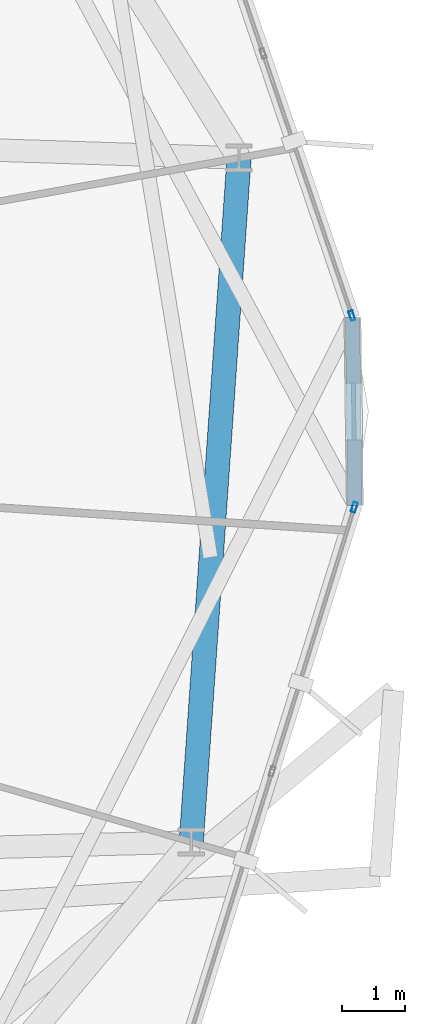
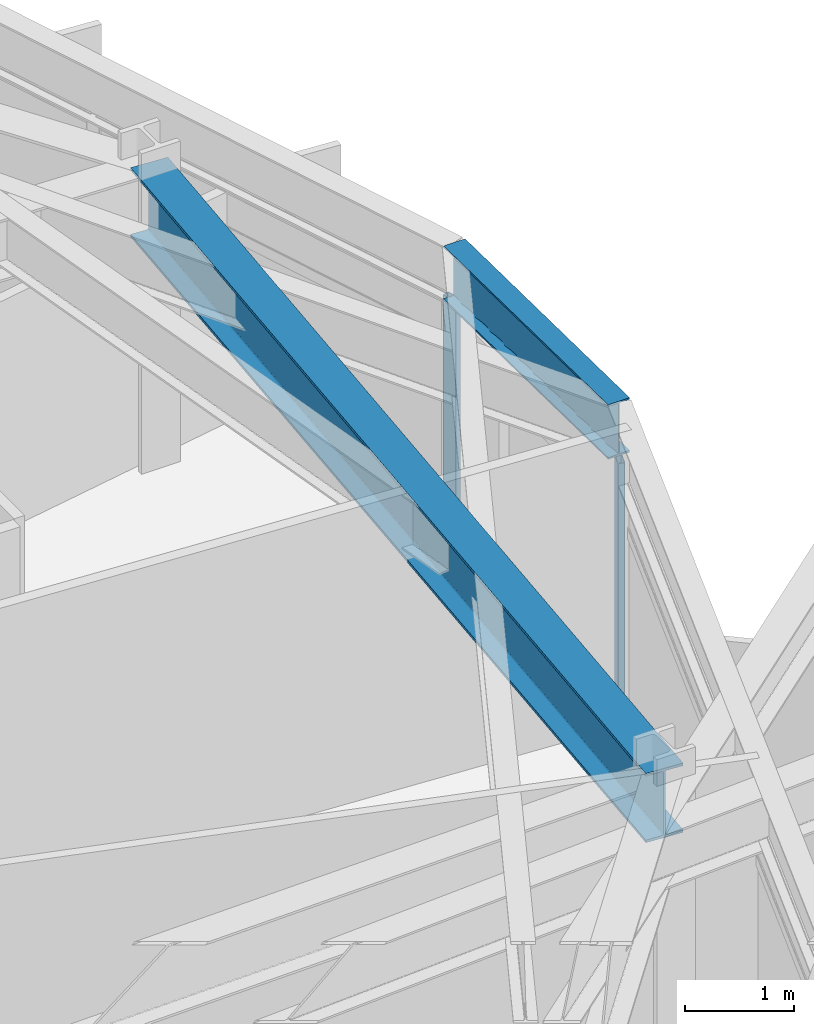
# One storey, part 12 of 27: 2 beams, 2 members, 2 elements without a shape of their own.
"""IFC4 building model written with IfcOpenShell, lengths in metres."""

from ifc_helpers import new_model, si_unit, direction, frame, origin, origin_2d, place, context, subcontext, project, spatial, hollow_rectangle, i_section, extrude, material, layer, layer_set, material_profile, profile_set, type_object, element, aggregate, save


model = new_model("IFC4")

# Units and contexts
model_context = context("Model", 3, precision=1e-05, world=origin(), true_north=direction((0.0, 1.0)))
body_context = subcontext(model_context, "Body", "Model", "MODEL_VIEW")
ifc_project = project(units=[si_unit("LENGTHUNIT", "METRE"), si_unit("AREAUNIT", "SQUARE_METRE"), si_unit("VOLUMEUNIT", "CUBIC_METRE"), si_unit("PLANEANGLEUNIT", "RADIAN"), si_unit("MASSUNIT", "GRAM", prefix="KILO")], contexts=[model_context])

# Site, building, storey
site_placement = place(None, origin())
site = spatial("IfcSite", under=ifc_project, at=site_placement, CompositionType="ELEMENT")
building_placement = place(site_placement, origin())
building = spatial("IfcBuilding", under=site, at=building_placement, Name="Soratama Intermodal Tower", CompositionType="ELEMENT")
storey_placement = place(building_placement, frame((0.0, 0.0, 167.800048828125)))
storey = spatial("IfcBuildingStorey", under=building, at=storey_placement, Name="L41", CompositionType="ELEMENT", Elevation=167.800048828125)

# Beams
ifc_material_1 = material(Name="Structural steel ASTM A992 Grade 50", Category="steel")
ifc_material_profile_1 = material_profile(ifc_material_1, i_section(OverallWidth=0.382080078125, OverallDepth=0.779052734375, WebThickness=0.01806640625, FlangeThickness=0.030029296875, FilletRadius=0.01806640625, at=origin_2d()), Name="W30X191")
ifc_profile_set_1 = profile_set([ifc_material_profile_1], Name="Structural steel ASTM A992 Grade 50")
beam_type_1 = type_object("IfcBeamType", Name="BM-RING-W30X191", PredefinedType="BEAM", material=ifc_profile_set_1)
beam_1_placement = place(storey_placement, frame((61.22607421875, 18.444091796875, 2.910400390625), z_axis=(0.069702217409, 0.99756784275, 0.0), x_axis=(-0.99756784275, 0.069702217409, 0.0)))
element("IfcBeam", 1, at=beam_1_placement, inside=storey, type_object=beam_type_1, Name="BM-L41-RING-10", PredefinedType="BEAM", context=body_context, shape_type="SweptSolid", body=[
    extrude(i_section(OverallWidth=0.382080078125, OverallDepth=0.779052734375, WebThickness=0.01806640625, FlangeThickness=0.030029296875, FilletRadius=0.01806640625, at=origin_2d()), origin(), (0.0, 0.0, 1.0), 10.816162109375),
])
ifc_material_2 = material(Name="Structural steel ASTM A992 Grade 50", Category="steel")
ifc_material_profile_2 = material_profile(ifc_material_2, i_section(OverallWidth=0.22900390625, OverallDepth=0.612060546875, WebThickness=0.011962890625, FlangeThickness=0.01953125, FilletRadius=0.012939453125, at=origin_2d()), Name="W24X84")
ifc_profile_set_2 = profile_set([ifc_material_profile_2], Name="Structural steel ASTM A992 Grade 50")
beam_type_2 = type_object("IfcBeamType", Name="BM-SPN-W24X84", PredefinedType="SPANDREL", material=ifc_profile_set_2)
beam_2_placement = place(storey_placement, frame((63.806884765625, 23.7529296875, 2.993896484375), z_axis=(-0.012428046596, 0.999922768847, 0.0), x_axis=(-0.999922768847, -0.012428046596, 0.0)))
element("IfcBeam", 2, at=beam_2_placement, inside=storey, type_object=beam_type_2, Name="BS-L41-CRN09", PredefinedType="SPANDREL", context=body_context, shape_type="SweptSolid", body=[
    extrude(i_section(OverallWidth=0.22900390625, OverallDepth=0.612060546875, WebThickness=0.011962890625, FlangeThickness=0.01953125, FilletRadius=0.012939453125, at=origin_2d()), origin(), (0.0, 0.0, 1.0), 2.96630859375),
])

# Curtain wall, member
ifc_material_3 = material(Name="Double-glazed aluminium curtain wall", Category="aluminium")
ifc_layer = layer(ifc_material_3, 0.159912109375)
ifc_layer_set = layer_set([ifc_layer], Name="Double-glazed aluminium curtain wall")
curtain_wall_type = type_object("IfcCurtainWallType", Name="CW-SYS-4", PredefinedType="NOTDEFINED", material=ifc_layer_set)
curtain_wall_1_placement = place(storey_placement, origin())
curtain_wall_1 = element("IfcCurtainWall", 3, at=curtain_wall_1_placement, inside=storey, type_object=curtain_wall_type, Name="L41 Faceted Curtain Wall F09", PredefinedType="NOTDEFINED")
ifc_material_4 = material(Name="Anodised aluminium AA 6063-T6", Category="aluminium")
ifc_material_profile_3 = material_profile(ifc_material_4, hollow_rectangle(XDim=0.070068359375, YDim=0.159912109375, WallThickness=0.0048828125, InnerFilletRadius=0.0048828125, OuterFilletRadius=0.010009765625, at=origin_2d()), Name="CWM160X70X5")
ifc_profile_set_3 = profile_set([ifc_material_profile_3], Name="Anodised aluminium AA 6063-T6")
member_type = type_object("IfcMemberType", Name="MT-CWM-4", PredefinedType="MULLION", material=ifc_profile_set_3)
member_1_placement = place(storey_placement, frame((63.798583984375, 23.724365234375, 0.0), z_axis=(0.0, 0.0, 1.0), x_axis=(-0.954864734442, 0.297040971785, 0.0)))
member_1 = element("IfcMember", 4, at=member_1_placement, type_object=member_type, Name="CW-4 mullion 3", PredefinedType="MULLION", context=body_context, shape_type="SweptSolid", body=[
    extrude(hollow_rectangle(XDim=0.070068359375, YDim=0.159912109375, WallThickness=0.0048828125, InnerFilletRadius=0.0048828125, OuterFilletRadius=0.010009765625, at=origin_2d()), origin(), (0.0, 0.0, 1.0), 2.678955078125),
])
aggregate(curtain_wall_1, [member_1])

curtain_wall_2_placement = place(storey_placement, origin())
curtain_wall_2 = element("IfcCurtainWall", 5, at=curtain_wall_2_placement, inside=storey, type_object=curtain_wall_type, Name="L41 Faceted Curtain Wall F10", PredefinedType="NOTDEFINED")
member_2_placement = place(storey_placement, frame((63.760498046875, 26.747802734375, 0.0), z_axis=(0.0, 0.0, 1.0), x_axis=(-0.947099636849, -0.320939679503, 0.0)))
member_2 = element("IfcMember", 6, at=member_2_placement, type_object=member_type, Name="CW-4 mullion 1", PredefinedType="MULLION", context=body_context, shape_type="SweptSolid", body=[
    extrude(hollow_rectangle(XDim=0.070068359375, YDim=0.159912109375, WallThickness=0.0048828125, InnerFilletRadius=0.0048828125, OuterFilletRadius=0.010009765625, at=origin_2d()), origin(), (0.0, 0.0, 1.0), 2.678955078125),
])
aggregate(curtain_wall_2, [member_2])

save(model, "model.ifc")
